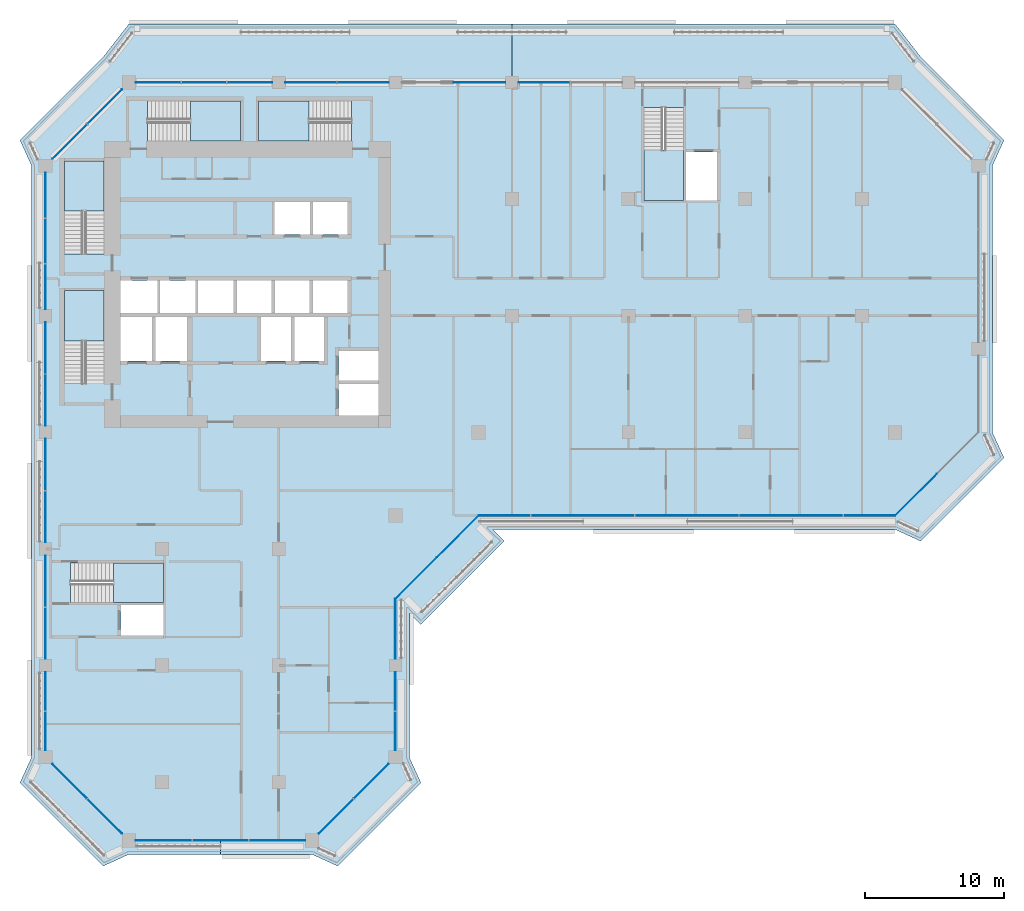
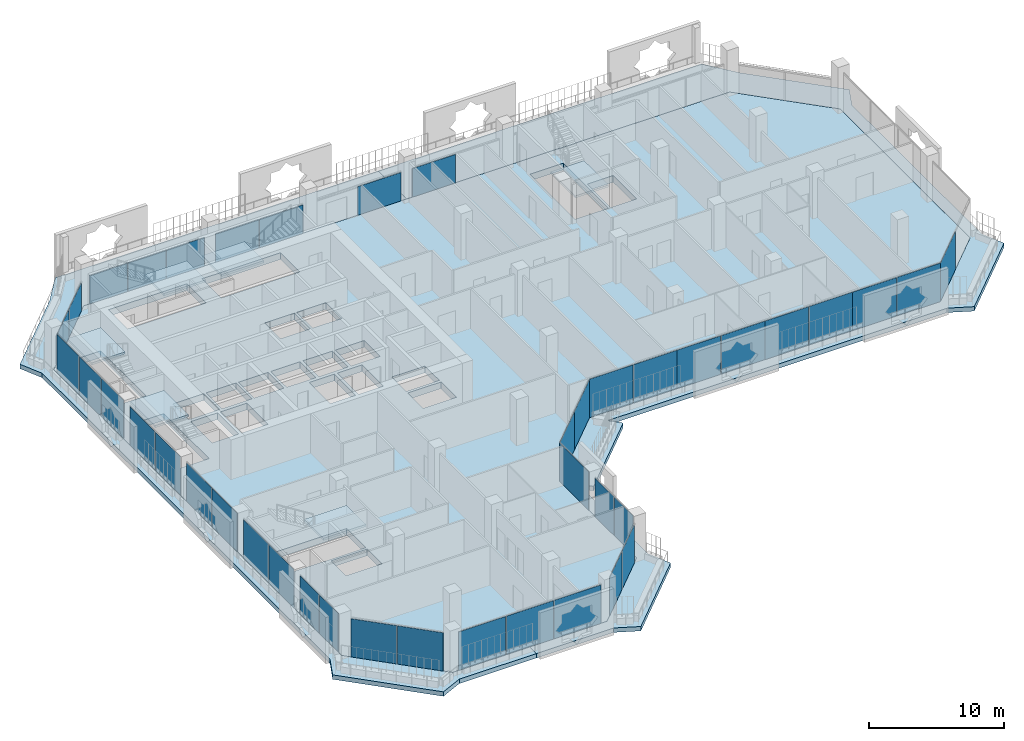
# One storey, part 8 of 22: 41 plates, 9 slabs, 16 elements without a shape of their own.
"""IFC4 building model written with IfcOpenShell, lengths in metres."""

from ifc_helpers import new_model, si_unit, direction, frame, origin, origin_2d, place, context, subcontext, project, spatial, polyline, rectangle, outline, extrude, material, layer, layer_set, type_object, element, aggregate, save


model = new_model("IFC4")

# Units and contexts
model_context = context("Model", 3, precision=1e-05, world=origin(), true_north=direction((0.0, 1.0)))
body_context = subcontext(model_context, "Body", "Model", "MODEL_VIEW")
ifc_project = project(units=[si_unit("LENGTHUNIT", "METRE"), si_unit("AREAUNIT", "SQUARE_METRE"), si_unit("VOLUMEUNIT", "CUBIC_METRE"), si_unit("PLANEANGLEUNIT", "RADIAN"), si_unit("MASSUNIT", "GRAM", prefix="KILO")], contexts=[model_context])

# Site, building, storey
site_placement = place(None, origin())
site = spatial("IfcSite", under=ifc_project, at=site_placement, CompositionType="ELEMENT")
building_placement = place(site_placement, origin())
building = spatial("IfcBuilding", under=site, at=building_placement, Name="Kawkab Arch Medical Tower", CompositionType="ELEMENT")
storey_placement = place(building_placement, frame((0.0, 0.0, 204.60009765625)))
storey = spatial("IfcBuildingStorey", under=building, at=storey_placement, Name="L47", CompositionType="ELEMENT", Elevation=204.60009765625)

# Curtain wall, plates
ifc_material_1 = material(Name="Bronze anodised aluminium curtain wall frame", Category="aluminium")
ifc_layer_1 = layer(ifc_material_1, 0.159912109375)
ifc_layer_set_1 = layer_set([ifc_layer_1], Name="Bronze anodised aluminium curtain wall frame")
curtain_wall_type_1 = type_object("IfcCurtainWallType", Name="CW1 ward curtain wall", PredefinedType="NOTDEFINED", material=ifc_layer_set_1)
placement_1 = place(storey_placement, origin())
curtain_wall_1 = element("IfcCurtainWall", 1, at=placement_1, inside=storey, type_object=curtain_wall_type_1, Name="CW1 Ward curtain wall R01", PredefinedType="NOTDEFINED")
ifc_material_2 = material(Name="Tinted insulating glass, bronze low-e coating", Category="glass")
ifc_layer_2 = layer(ifc_material_2, 0.031982421875)
ifc_layer_set_2 = layer_set([ifc_layer_2], Name="Tinted insulating glass, bronze low-e coating")
plate_type_1 = type_object("IfcPlateType", Name="CW1 glazing unit 32", PredefinedType="CURTAIN_PANEL", material=ifc_layer_set_2)
plate_1_placement = place(storey_placement, frame((0.0, -8.12255859375, 0.0), z_axis=(0.0, 0.0, 1.0), x_axis=(0.0, -1.0, 0.0)))
plate_1 = element("IfcPlate", 2, at=plate_1_placement, type_object=plate_type_1, Name="CW1 glazing unit 1.1", PredefinedType="CURTAIN_PANEL", context=body_context, shape_type="SweptSolid", body=[
    extrude(rectangle(XDim=3.2451171875, YDim=0.031982421875, at=origin_2d()), origin(), (0.0, 0.0, 1.0), 3.47998046875),
])
plate_2_placement = place(storey_placement, frame((0.0, -11.41259765625, 0.0), z_axis=(0.0, 0.0, 1.0), x_axis=(0.0, -1.0, 0.0)))
plate_2 = element("IfcPlate", 3, at=plate_2_placement, type_object=plate_type_1, Name="CW1 glazing unit 1.2", PredefinedType="CURTAIN_PANEL", context=body_context, shape_type="SweptSolid", body=[
    extrude(rectangle(XDim=3.215087890625, YDim=0.031982421875, at=origin_2d()), origin(), (0.0, 0.0, 1.0), 3.47998046875),
])
plate_3_placement = place(storey_placement, frame((0.0, -14.702392578125, 0.0), z_axis=(0.0, 0.0, 1.0), x_axis=(0.0, -1.0, 0.0)))
plate_3 = element("IfcPlate", 4, at=plate_3_placement, type_object=plate_type_1, Name="CW1 glazing unit 1.3", PredefinedType="CURTAIN_PANEL", context=body_context, shape_type="SweptSolid", body=[
    extrude(rectangle(XDim=3.2451171875, YDim=0.031982421875, at=origin_2d()), origin(), (0.0, 0.0, 1.0), 3.47998046875),
])
plate_4_placement = place(storey_placement, frame((0.0, -19.12255859375, 0.0), z_axis=(0.0, 0.0, 1.0), x_axis=(0.0, -1.0, 0.0)))
plate_4 = element("IfcPlate", 5, at=plate_4_placement, type_object=plate_type_1, Name="CW1 glazing unit 2.1", PredefinedType="CURTAIN_PANEL", context=body_context, shape_type="SweptSolid", body=[
    extrude(rectangle(XDim=3.695068359375, YDim=0.031982421875, at=origin_2d()), origin(), (0.0, 0.0, 1.0), 3.47998046875),
])
plate_5_placement = place(storey_placement, frame((0.0, -22.87744140625, 0.0), z_axis=(0.0, 0.0, 1.0), x_axis=(0.0, -1.0, 0.0)))
plate_5 = element("IfcPlate", 6, at=plate_5_placement, type_object=plate_type_1, Name="CW1 glazing unit 2.2", PredefinedType="CURTAIN_PANEL", context=body_context, shape_type="SweptSolid", body=[
    extrude(rectangle(XDim=3.695068359375, YDim=0.031982421875, at=origin_2d()), origin(), (0.0, 0.0, 1.0), 3.47998046875),
])
plate_6_placement = place(storey_placement, frame((0.0, -27.5224609375, 0.0), z_axis=(0.0, 0.0, 1.0), x_axis=(0.0, -1.0, 0.0)))
plate_6 = element("IfcPlate", 7, at=plate_6_placement, type_object=plate_type_1, Name="CW1 glazing unit 3.1", PredefinedType="CURTAIN_PANEL", context=body_context, shape_type="SweptSolid", body=[
    extrude(rectangle(XDim=3.695068359375, YDim=0.031982421875, at=origin_2d()), origin(), (0.0, 0.0, 1.0), 3.47998046875),
])
plate_7_placement = place(storey_placement, frame((0.0, -31.277587890625, 0.0), z_axis=(0.0, 0.0, 1.0), x_axis=(0.0, -1.0, 0.0)))
plate_7 = element("IfcPlate", 8, at=plate_7_placement, type_object=plate_type_1, Name="CW1 glazing unit 3.2", PredefinedType="CURTAIN_PANEL", context=body_context, shape_type="SweptSolid", body=[
    extrude(rectangle(XDim=3.695068359375, YDim=0.031982421875, at=origin_2d()), origin(), (0.0, 0.0, 1.0), 3.47998046875),
])
plate_8_placement = place(storey_placement, frame((0.0, -35.922607421875, 0.0), z_axis=(0.0, 0.0, 1.0), x_axis=(0.0, -1.0, 0.0)))
plate_8 = element("IfcPlate", 9, at=plate_8_placement, type_object=plate_type_1, Name="CW1 glazing unit 4.1", PredefinedType="CURTAIN_PANEL", context=body_context, shape_type="SweptSolid", body=[
    extrude(rectangle(XDim=3.695068359375, YDim=0.031982421875, at=origin_2d()), origin(), (0.0, 0.0, 1.0), 3.47998046875),
])
plate_9_placement = place(storey_placement, frame((0.0, -39.677490234375, 0.0), z_axis=(0.0, 0.0, 1.0), x_axis=(0.0, -1.0, 0.0)))
plate_9 = element("IfcPlate", 10, at=plate_9_placement, type_object=plate_type_1, Name="CW1 glazing unit 4.2", PredefinedType="CURTAIN_PANEL", context=body_context, shape_type="SweptSolid", body=[
    extrude(rectangle(XDim=3.695068359375, YDim=0.031982421875, at=origin_2d()), origin(), (0.0, 0.0, 1.0), 3.47998046875),
])
plate_10_placement = place(storey_placement, frame((0.0, -43.8662109375, 0.0), z_axis=(0.0, 0.0, 1.0), x_axis=(0.0, -1.0, 0.0)))
plate_10 = element("IfcPlate", 11, at=plate_10_placement, type_object=plate_type_1, Name="CW1 glazing unit 5.1", PredefinedType="CURTAIN_PANEL", context=body_context, shape_type="SweptSolid", body=[
    extrude(rectangle(XDim=2.782470703125, YDim=0.031982421875, at=origin_2d()), origin(), (0.0, 0.0, 1.0), 3.47998046875),
])
plate_11_placement = place(storey_placement, frame((0.0, -46.708740234375, 0.0), z_axis=(0.0, 0.0, 1.0), x_axis=(0.0, -1.0, 0.0)))
plate_11 = element("IfcPlate", 12, at=plate_11_placement, type_object=plate_type_1, Name="CW1 glazing unit 5.2", PredefinedType="CURTAIN_PANEL", context=body_context, shape_type="SweptSolid", body=[
    extrude(rectangle(XDim=2.782470703125, YDim=0.031982421875, at=origin_2d()), origin(), (0.0, 0.0, 1.0), 3.47998046875),
])
aggregate(curtain_wall_1, [plate_1, plate_2, plate_3, plate_4, plate_5, plate_6, plate_7, plate_8, plate_9, plate_10, plate_11])

curtain_wall_2 = element("IfcCurtainWall", 13, at=placement_1, inside=storey, type_object=curtain_wall_type_1, Name="CW1 Ward curtain wall R03", PredefinedType="NOTDEFINED")
plate_12_placement = place(storey_placement, frame((8.518310546875, -54.60009765625, 0.0), z_axis=(0.0, 0.0, 1.0), x_axis=(1.0, 0.0, 0.0)))
plate_12 = element("IfcPlate", 14, at=plate_12_placement, type_object=plate_type_1, Name="CW1 glazing unit 1.1", PredefinedType="CURTAIN_PANEL", context=body_context, shape_type="SweptSolid", body=[
    extrude(rectangle(XDim=4.03662109375, YDim=0.031982421875, at=origin_2d()), origin(), (0.0, 0.0, 1.0), 3.47998046875),
])
plate_13_placement = place(storey_placement, frame((12.60009765625, -54.60009765625, 0.0), z_axis=(0.0, 0.0, 1.0), x_axis=(1.0, 0.0, 0.0)))
plate_13 = element("IfcPlate", 15, at=plate_13_placement, type_object=plate_type_1, Name="CW1 glazing unit 1.2", PredefinedType="CURTAIN_PANEL", context=body_context, shape_type="SweptSolid", body=[
    extrude(rectangle(XDim=4.006591796875, YDim=0.031982421875, at=origin_2d()), origin(), (0.0, 0.0, 1.0), 3.47998046875),
])
plate_14_placement = place(storey_placement, frame((16.681640625, -54.60009765625, 0.0), z_axis=(0.0, 0.0, 1.0), x_axis=(1.0, 0.0, 0.0)))
plate_14 = element("IfcPlate", 16, at=plate_14_placement, type_object=plate_type_1, Name="CW1 glazing unit 1.3", PredefinedType="CURTAIN_PANEL", context=body_context, shape_type="SweptSolid", body=[
    extrude(rectangle(XDim=4.03662109375, YDim=0.031982421875, at=origin_2d()), origin(), (0.0, 0.0, 1.0), 3.47998046875),
])
aggregate(curtain_wall_2, [plate_12, plate_13, plate_14])

curtain_wall_3 = element("IfcCurtainWall", 17, at=placement_1, inside=storey, type_object=curtain_wall_type_1, Name="CW1 Ward curtain wall R05", PredefinedType="NOTDEFINED")
plate_15_placement = place(storey_placement, frame((25.199951171875, -46.708740234375, 0.0), z_axis=(0.0, 0.0, 1.0), x_axis=(0.0, 1.0, 0.0)))
plate_15 = element("IfcPlate", 18, at=plate_15_placement, type_object=plate_type_1, Name="CW1 glazing unit 1.1", PredefinedType="CURTAIN_PANEL", context=body_context, shape_type="SweptSolid", body=[
    extrude(rectangle(XDim=2.782470703125, YDim=0.031982421875, at=origin_2d()), origin(), (0.0, 0.0, 1.0), 3.47998046875),
])
plate_16_placement = place(storey_placement, frame((25.199951171875, -43.8662109375, 0.0), z_axis=(0.0, 0.0, 1.0), x_axis=(0.0, 1.0, 0.0)))
plate_16 = element("IfcPlate", 19, at=plate_16_placement, type_object=plate_type_1, Name="CW1 glazing unit 1.2", PredefinedType="CURTAIN_PANEL", context=body_context, shape_type="SweptSolid", body=[
    extrude(rectangle(XDim=2.782470703125, YDim=0.031982421875, at=origin_2d()), origin(), (0.0, 0.0, 1.0), 3.47998046875),
])
plate_17_placement = place(storey_placement, frame((25.199951171875, -39.362548828125, 0.0), z_axis=(0.0, 0.0, 1.0), x_axis=(0.0, 1.0, 0.0)))
plate_17 = element("IfcPlate", 20, at=plate_17_placement, type_object=plate_type_1, Name="CW1 glazing unit 2.1", PredefinedType="CURTAIN_PANEL", context=body_context, shape_type="SweptSolid", body=[
    extrude(rectangle(XDim=4.324951171875, YDim=0.031982421875, at=origin_2d()), origin(), (0.0, 0.0, 1.0), 3.47998046875),
])
aggregate(curtain_wall_3, [plate_15, plate_16, plate_17])

curtain_wall_4 = element("IfcCurtainWall", 21, at=placement_1, inside=storey, type_object=curtain_wall_type_1, Name="CW1 Ward curtain wall R07", PredefinedType="NOTDEFINED")
plate_18_placement = place(storey_placement, frame((33.06005859375, -31.199951171875, 0.0), z_axis=(0.0, 0.0, 1.0), x_axis=(1.0, 0.0, 0.0)))
plate_18 = element("IfcPlate", 22, at=plate_18_placement, type_object=plate_type_1, Name="CW1 glazing unit 1.1", PredefinedType="CURTAIN_PANEL", context=body_context, shape_type="SweptSolid", body=[
    extrude(rectangle(XDim=3.719970703125, YDim=0.031982421875, at=origin_2d()), origin(), (0.0, 0.0, 1.0), 3.47998046875),
])
plate_19_placement = place(storey_placement, frame((36.840087890625, -31.199951171875, 0.0), z_axis=(0.0, 0.0, 1.0), x_axis=(1.0, 0.0, 0.0)))
plate_19 = element("IfcPlate", 23, at=plate_19_placement, type_object=plate_type_1, Name="CW1 glazing unit 1.2", PredefinedType="CURTAIN_PANEL", context=body_context, shape_type="SweptSolid", body=[
    extrude(rectangle(XDim=3.719970703125, YDim=0.031982421875, at=origin_2d()), origin(), (0.0, 0.0, 1.0), 3.47998046875),
])
plate_20_placement = place(storey_placement, frame((40.56005859375, -31.199951171875, 0.0), z_axis=(0.0, 0.0, 1.0), x_axis=(1.0, 0.0, 0.0)))
plate_20 = element("IfcPlate", 24, at=plate_20_placement, type_object=plate_type_1, Name="CW1 glazing unit 2.1", PredefinedType="CURTAIN_PANEL", context=body_context, shape_type="SweptSolid", body=[
    extrude(rectangle(XDim=3.719970703125, YDim=0.031982421875, at=origin_2d()), origin(), (0.0, 0.0, 1.0), 3.47998046875),
])
plate_21_placement = place(storey_placement, frame((44.340087890625, -31.199951171875, 0.0), z_axis=(0.0, 0.0, 1.0), x_axis=(1.0, 0.0, 0.0)))
plate_21 = element("IfcPlate", 25, at=plate_21_placement, type_object=plate_type_1, Name="CW1 glazing unit 2.2", PredefinedType="CURTAIN_PANEL", context=body_context, shape_type="SweptSolid", body=[
    extrude(rectangle(XDim=3.719970703125, YDim=0.031982421875, at=origin_2d()), origin(), (0.0, 0.0, 1.0), 3.47998046875),
])
plate_22_placement = place(storey_placement, frame((48.06005859375, -31.199951171875, 0.0), z_axis=(0.0, 0.0, 1.0), x_axis=(1.0, 0.0, 0.0)))
plate_22 = element("IfcPlate", 26, at=plate_22_placement, type_object=plate_type_1, Name="CW1 glazing unit 3.1", PredefinedType="CURTAIN_PANEL", context=body_context, shape_type="SweptSolid", body=[
    extrude(rectangle(XDim=3.719970703125, YDim=0.031982421875, at=origin_2d()), origin(), (0.0, 0.0, 1.0), 3.47998046875),
])
plate_23_placement = place(storey_placement, frame((51.840087890625, -31.199951171875, 0.0), z_axis=(0.0, 0.0, 1.0), x_axis=(1.0, 0.0, 0.0)))
plate_23 = element("IfcPlate", 27, at=plate_23_placement, type_object=plate_type_1, Name="CW1 glazing unit 3.2", PredefinedType="CURTAIN_PANEL", context=body_context, shape_type="SweptSolid", body=[
    extrude(rectangle(XDim=3.719970703125, YDim=0.031982421875, at=origin_2d()), origin(), (0.0, 0.0, 1.0), 3.47998046875),
])
plate_24_placement = place(storey_placement, frame((55.56005859375, -31.199951171875, 0.0), z_axis=(0.0, 0.0, 1.0), x_axis=(1.0, 0.0, 0.0)))
plate_24 = element("IfcPlate", 28, at=plate_24_placement, type_object=plate_type_1, Name="CW1 glazing unit 4.1", PredefinedType="CURTAIN_PANEL", context=body_context, shape_type="SweptSolid", body=[
    extrude(rectangle(XDim=3.719970703125, YDim=0.031982421875, at=origin_2d()), origin(), (0.0, 0.0, 1.0), 3.47998046875),
])
plate_25_placement = place(storey_placement, frame((59.340087890625, -31.199951171875, 0.0), z_axis=(0.0, 0.0, 1.0), x_axis=(1.0, 0.0, 0.0)))
plate_25 = element("IfcPlate", 29, at=plate_25_placement, type_object=plate_type_1, Name="CW1 glazing unit 4.2", PredefinedType="CURTAIN_PANEL", context=body_context, shape_type="SweptSolid", body=[
    extrude(rectangle(XDim=3.719970703125, YDim=0.031982421875, at=origin_2d()), origin(), (0.0, 0.0, 1.0), 3.47998046875),
])
aggregate(curtain_wall_4, [plate_18, plate_19, plate_20, plate_21, plate_22, plate_23, plate_24, plate_25])

curtain_wall_5 = element("IfcCurtainWall", 30, at=placement_1, inside=storey, type_object=curtain_wall_type_1, Name="CW1 Ward curtain wall R11", PredefinedType="NOTDEFINED")
plate_26_placement = place(storey_placement, frame((35.922607421875, 0.0, -0.000244140625), z_axis=(0.0, 0.0, 1.0), x_axis=(-1.0, 0.0, 0.0)))
plate_26 = element("IfcPlate", 31, at=plate_26_placement, type_object=plate_type_1, Name="CW1 glazing unit 3.2", PredefinedType="CURTAIN_PANEL", context=body_context, shape_type="SweptSolid", body=[
    extrude(rectangle(XDim=3.695068359375, YDim=0.031982421875, at=origin_2d()), origin(), (0.0, 0.0, 1.0), 2.580078125),
])
plate_27_placement = place(storey_placement, frame((31.262451171875, 0.0, -0.000244140625), z_axis=(0.0, 0.0, 1.0), x_axis=(-1.0, 0.0, 0.0)))
plate_27 = element("IfcPlate", 32, at=plate_27_placement, type_object=plate_type_1, Name="CW1 glazing unit 4.1", PredefinedType="CURTAIN_PANEL", context=body_context, shape_type="SweptSolid", body=[
    extrude(rectangle(XDim=3.72509765625, YDim=0.031982421875, at=origin_2d()), origin(), (0.0, 0.0, 1.0), 2.580078125),
])
plate_28_placement = place(storey_placement, frame((22.87744140625, 0.0, -0.000244140625), z_axis=(0.0, 0.0, 1.0), x_axis=(-1.0, 0.0, 0.0)))
plate_28 = element("IfcPlate", 33, at=plate_28_placement, type_object=plate_type_1, Name="CW1 glazing unit 5.1", PredefinedType="CURTAIN_PANEL", context=body_context, shape_type="SweptSolid", body=[
    extrude(rectangle(XDim=3.695068359375, YDim=0.031982421875, at=origin_2d()), origin(), (0.0, 0.0, 1.0), 2.580078125),
])
plate_29_placement = place(storey_placement, frame((19.12255859375, 0.0, -0.000244140625), z_axis=(0.0, 0.0, 1.0), x_axis=(-1.0, 0.0, 0.0)))
plate_29 = element("IfcPlate", 34, at=plate_29_placement, type_object=plate_type_1, Name="CW1 glazing unit 5.2", PredefinedType="CURTAIN_PANEL", context=body_context, shape_type="SweptSolid", body=[
    extrude(rectangle(XDim=3.695068359375, YDim=0.031982421875, at=origin_2d()), origin(), (0.0, 0.0, 1.0), 2.580078125),
])
plate_30_placement = place(storey_placement, frame((14.702392578125, 0.0, -0.000244140625), z_axis=(0.0, 0.0, 1.0), x_axis=(-1.0, 0.0, 0.0)))
plate_30 = element("IfcPlate", 35, at=plate_30_placement, type_object=plate_type_1, Name="CW1 glazing unit 6.1", PredefinedType="CURTAIN_PANEL", context=body_context, shape_type="SweptSolid", body=[
    extrude(rectangle(XDim=3.2451171875, YDim=0.031982421875, at=origin_2d()), origin(), (0.0, 0.0, 1.0), 2.580078125),
])
plate_31_placement = place(storey_placement, frame((11.41259765625, 0.0, -0.000244140625), z_axis=(0.0, 0.0, 1.0), x_axis=(-1.0, 0.0, 0.0)))
plate_31 = element("IfcPlate", 36, at=plate_31_placement, type_object=plate_type_1, Name="CW1 glazing unit 6.2", PredefinedType="CURTAIN_PANEL", context=body_context, shape_type="SweptSolid", body=[
    extrude(rectangle(XDim=3.215087890625, YDim=0.031982421875, at=origin_2d()), origin(), (0.0, 0.0, 1.0), 2.580078125),
])
plate_32_placement = place(storey_placement, frame((8.12255859375, 0.0, -0.000244140625), z_axis=(0.0, 0.0, 1.0), x_axis=(-1.0, 0.0, 0.0)))
plate_32 = element("IfcPlate", 37, at=plate_32_placement, type_object=plate_type_1, Name="CW1 glazing unit 6.3", PredefinedType="CURTAIN_PANEL", context=body_context, shape_type="SweptSolid", body=[
    extrude(rectangle(XDim=3.2451171875, YDim=0.031982421875, at=origin_2d()), origin(), (0.0, 0.0, 1.0), 2.580078125),
])
aggregate(curtain_wall_5, [plate_26, plate_27, plate_28, plate_29, plate_30, plate_31, plate_32])

ifc_material_3 = material(Name="Bronze anodised aluminium curtain wall frame", Category="aluminium")
ifc_layer_3 = layer(ifc_material_3, 0.159912109375)
ifc_layer_set_3 = layer_set([ifc_layer_3], Name="Bronze anodised aluminium curtain wall frame")
curtain_wall_type_2 = type_object("IfcCurtainWallType", Name="CW2 chamfer curtain wall", PredefinedType="NOTDEFINED", material=ifc_layer_set_3)
curtain_wall_6 = element("IfcCurtainWall", 38, at=placement_1, inside=storey, type_object=curtain_wall_type_2, Name="CW2 Chamfer curtain wall R02", PredefinedType="NOTDEFINED")
ifc_material_4 = material(Name="Tinted insulating glass, bronze low-e coating", Category="glass")
ifc_layer_4 = layer(ifc_material_4, 0.031982421875)
ifc_layer_set_4 = layer_set([ifc_layer_4], Name="Tinted insulating glass, bronze low-e coating")
plate_type_2 = type_object("IfcPlateType", Name="CW2 glazing unit 32", PredefinedType="CURTAIN_PANEL", material=ifc_layer_set_4)
plate_33_placement = place(storey_placement, frame((1.739501953125, -50.33935546875, 0.0), z_axis=(0.0, 0.0, 1.0), x_axis=(0.707106781187, -0.707106781187, 0.0)))
plate_33 = element("IfcPlate", 39, at=plate_33_placement, type_object=plate_type_2, Name="CW2 glazing unit 1.1", PredefinedType="CURTAIN_PANEL", context=body_context, shape_type="SweptSolid", body=[
    extrude(rectangle(XDim=3.505615234375, YDim=0.031982421875, at=origin_2d()), origin(), (0.0, 0.0, 1.0), 3.4599609375),
])
plate_34_placement = place(storey_placement, frame((4.260498046875, -52.860595703125, 0.0), z_axis=(0.0, 0.0, 1.0), x_axis=(0.707106781187, -0.707106781187, 0.0)))
plate_34 = element("IfcPlate", 40, at=plate_34_placement, type_object=plate_type_2, Name="CW2 glazing unit 1.2", PredefinedType="CURTAIN_PANEL", context=body_context, shape_type="SweptSolid", body=[
    extrude(rectangle(XDim=3.505615234375, YDim=0.031982421875, at=origin_2d()), origin(), (0.0, 0.0, 1.0), 3.4599609375),
])
aggregate(curtain_wall_6, [plate_33, plate_34])

curtain_wall_7 = element("IfcCurtainWall", 41, at=placement_1, inside=storey, type_object=curtain_wall_type_2, Name="CW2 Chamfer curtain wall R04", PredefinedType="NOTDEFINED")
plate_35_placement = place(storey_placement, frame((20.939453125, -52.860595703125, 0.0), z_axis=(0.0, 0.0, 1.0), x_axis=(0.707106781187, 0.707106781187, 0.0)))
plate_35 = element("IfcPlate", 42, at=plate_35_placement, type_object=plate_type_2, Name="CW2 glazing unit 1.1", PredefinedType="CURTAIN_PANEL", context=body_context, shape_type="SweptSolid", body=[
    extrude(rectangle(XDim=3.505615234375, YDim=0.031982421875, at=origin_2d()), origin(), (0.0, 0.0, 1.0), 3.4599609375),
])
plate_36_placement = place(storey_placement, frame((23.460693359375, -50.33935546875, 0.0), z_axis=(0.0, 0.0, 1.0), x_axis=(0.707106781187, 0.707106781187, 0.0)))
plate_36 = element("IfcPlate", 43, at=plate_36_placement, type_object=plate_type_2, Name="CW2 glazing unit 1.2", PredefinedType="CURTAIN_PANEL", context=body_context, shape_type="SweptSolid", body=[
    extrude(rectangle(XDim=3.505615234375, YDim=0.031982421875, at=origin_2d()), origin(), (0.0, 0.0, 1.0), 3.4599609375),
])
aggregate(curtain_wall_7, [plate_35, plate_36])

curtain_wall_8 = element("IfcCurtainWall", 44, at=placement_1, inside=storey, type_object=curtain_wall_type_2, Name="CW2 Chamfer curtain wall R06", PredefinedType="NOTDEFINED")
plate_37_placement = place(storey_placement, frame((26.699951171875, -35.699951171875, 0.0), z_axis=(0.0, 0.0, 1.0), x_axis=(0.707106781187, 0.707106781187, 0.0)))
plate_37 = element("IfcPlate", 45, at=plate_37_placement, type_object=plate_type_2, Name="CW2 glazing unit 1.1", PredefinedType="CURTAIN_PANEL", context=body_context, shape_type="SweptSolid", body=[
    extrude(rectangle(XDim=4.24267578125, YDim=0.031982421875, at=origin_2d()), origin(), (0.0, 0.0, 1.0), 3.4599609375),
])
plate_38_placement = place(storey_placement, frame((29.699951171875, -32.699951171875, 0.0), z_axis=(0.0, 0.0, 1.0), x_axis=(0.707106781187, 0.707106781187, 0.0)))
plate_38 = element("IfcPlate", 46, at=plate_38_placement, type_object=plate_type_2, Name="CW2 glazing unit 2.1", PredefinedType="CURTAIN_PANEL", context=body_context, shape_type="SweptSolid", body=[
    extrude(rectangle(XDim=4.24267578125, YDim=0.031982421875, at=origin_2d()), origin(), (0.0, 0.0, 1.0), 3.4599609375),
])
aggregate(curtain_wall_8, [plate_37, plate_38])

# Curtain wall, plate
curtain_wall_9 = element("IfcCurtainWall", 47, at=placement_1, inside=storey, type_object=curtain_wall_type_2, Name="CW2 Chamfer curtain wall R08", PredefinedType="NOTDEFINED")
plate_39_placement = place(storey_placement, frame((62.699951171875, -29.699951171875, 0.0), z_axis=(0.0, 0.0, 1.0), x_axis=(0.707106781187, 0.707106781187, 0.0)))
plate_39 = element("IfcPlate", 48, at=plate_39_placement, type_object=plate_type_2, Name="CW2 glazing unit 1.1", PredefinedType="CURTAIN_PANEL", context=body_context, shape_type="SweptSolid", body=[
    extrude(rectangle(XDim=4.24267578125, YDim=0.031982421875, at=origin_2d()), origin(), (0.0, 0.0, 1.0), 3.4599609375),
])
aggregate(curtain_wall_9, [plate_39])

# Curtain wall, plates
curtain_wall_10 = element("IfcCurtainWall", 49, at=placement_1, inside=storey, type_object=curtain_wall_type_2, Name="CW2 Chamfer curtain wall R12", PredefinedType="NOTDEFINED")
plate_40_placement = place(storey_placement, frame((4.260498046875, -1.739501953125, -0.000244140625), z_axis=(0.0, 0.0, 1.0), x_axis=(-0.707106781187, -0.707106781187, 0.0)))
plate_40 = element("IfcPlate", 50, at=plate_40_placement, type_object=plate_type_2, Name="CW2 glazing unit 1.1", PredefinedType="CURTAIN_PANEL", context=body_context, shape_type="SweptSolid", body=[
    extrude(rectangle(XDim=3.505615234375, YDim=0.031982421875, at=origin_2d()), origin(), (0.0, 0.0, 1.0), 2.56005859375),
])
plate_41_placement = place(storey_placement, frame((1.739501953125, -4.260498046875, -0.000244140625), z_axis=(0.0, 0.0, 1.0), x_axis=(-0.707106781187, -0.707106781187, 0.0)))
plate_41 = element("IfcPlate", 51, at=plate_41_placement, type_object=plate_type_2, Name="CW2 glazing unit 1.2", PredefinedType="CURTAIN_PANEL", context=body_context, shape_type="SweptSolid", body=[
    extrude(rectangle(XDim=3.505615234375, YDim=0.031982421875, at=origin_2d()), origin(), (0.0, 0.0, 1.0), 2.56005859375),
])
aggregate(curtain_wall_10, [plate_40, plate_41])

# Stair, slab
ifc_material_5 = material(Name="Concrete C40/50", Category="concrete")
stair_type = type_object("IfcStairType", Name="Exit stair 1350", PredefinedType="HALF_TURN_STAIR", material=ifc_material_5)
stair_1 = element("IfcStair", 52, at=placement_1, inside=storey, type_object=stair_type, Name="L47 Exit stair ST1", PredefinedType="HALF_TURN_STAIR")
ifc_material_6 = material(Name="Concrete C40/50", Category="concrete")
ifc_layer_5 = layer(ifc_material_6, 0.199951171875)
ifc_layer_set_5 = layer_set([ifc_layer_5], Name="Concrete C40/50")
slab_type_1 = type_object("IfcSlabType", Name="Exit stair landing 200", PredefinedType="LANDING", material=ifc_layer_set_5)
placement_2 = place(storey_placement, frame((0.0, 0.0, 1.89990234375)))
slab_1 = element("IfcSlab", 53, at=placement_2, type_object=slab_type_1, Name="ST1 landing 1", PredefinedType="LANDING", context=body_context, shape_type="SweptSolid", body=[
    extrude(outline(polyline([(4.199951171875, -9.27001953125), (4.199951171875, -5.64990234375), (1.35009765625, -5.64990234375), (1.35009765625, -9.27001953125), (4.199951171875, -9.27001953125)])), origin(), (0.0, 0.0, 1.0), 0.199951171875),
])
aggregate(stair_1, [slab_1])

stair_2 = element("IfcStair", 54, at=placement_1, inside=storey, type_object=stair_type, Name="L47 Exit stair ST2", PredefinedType="HALF_TURN_STAIR")
slab_2 = element("IfcSlab", 55, at=placement_2, type_object=slab_type_1, Name="ST2 landing 1", PredefinedType="LANDING", context=body_context, shape_type="SweptSolid", body=[
    extrude(outline(polyline([(4.199951171875, -18.6201171875), (4.199951171875, -15.0), (1.35009765625, -15.0), (1.35009765625, -18.6201171875), (4.199951171875, -18.6201171875)])), origin(), (0.0, 0.0, 1.0), 0.199951171875),
])
aggregate(stair_2, [slab_2])

stair_3 = element("IfcStair", 56, at=placement_1, inside=storey, type_object=stair_type, Name="L47 Exit stair ST3", PredefinedType="HALF_TURN_STAIR")
slab_3 = element("IfcSlab", 57, at=placement_2, type_object=slab_type_1, Name="ST3 landing 1", PredefinedType="LANDING", context=body_context, shape_type="SweptSolid", body=[
    extrude(outline(polyline([(10.429931640625, -4.199951171875), (14.050048828125, -4.199951171875), (14.050048828125, -1.35009765625), (10.429931640625, -1.35009765625), (10.429931640625, -4.199951171875)])), origin(), (0.0, 0.0, 1.0), 0.199951171875),
])
aggregate(stair_3, [slab_3])

stair_4 = element("IfcStair", 58, at=placement_1, inside=storey, type_object=stair_type, Name="L47 Exit stair ST4", PredefinedType="HALF_TURN_STAIR")
slab_4 = element("IfcSlab", 59, at=placement_2, type_object=slab_type_1, Name="ST4 landing 1", PredefinedType="LANDING", context=body_context, shape_type="SweptSolid", body=[
    extrude(outline(polyline([(18.969970703125, -1.35009765625), (15.35009765625, -1.35009765625), (15.35009765625, -4.199951171875), (18.969970703125, -4.199951171875), (18.969970703125, -1.35009765625)])), origin(), (0.0, 0.0, 1.0), 0.199951171875),
])
aggregate(stair_4, [slab_4])

stair_5 = element("IfcStair", 60, at=placement_1, inside=storey, type_object=stair_type, Name="L47 Exit stair ST5", PredefinedType="HALF_TURN_STAIR")
slab_5 = element("IfcSlab", 61, at=placement_2, type_object=slab_type_1, Name="ST5 landing 1", PredefinedType="LANDING", context=body_context, shape_type="SweptSolid", body=[
    extrude(outline(polyline([(43.10009765625, -4.8798828125), (43.10009765625, -8.5), (45.949951171875, -8.5), (45.949951171875, -4.8798828125), (43.10009765625, -4.8798828125)])), origin(), (0.0, 0.0, 1.0), 0.199951171875),
])
aggregate(stair_5, [slab_5])

stair_6 = element("IfcStair", 62, at=placement_1, inside=storey, type_object=stair_type, Name="L47 Exit stair ST6", PredefinedType="HALF_TURN_STAIR")
slab_6 = element("IfcSlab", 63, at=placement_2, type_object=slab_type_1, Name="ST6 landing 1", PredefinedType="LANDING", context=body_context, shape_type="SweptSolid", body=[
    extrude(outline(polyline([(4.8798828125, -37.449951171875), (8.5, -37.449951171875), (8.5, -34.60009765625), (4.8798828125, -34.60009765625), (4.8798828125, -37.449951171875)])), origin(), (0.0, 0.0, 1.0), 0.199951171875),
])
aggregate(stair_6, [slab_6])

# Slabs
ifc_material_7 = material(Name="Concrete C45/55", Category="concrete")
ifc_layer_6 = layer(ifc_material_7, 0.60009765625)
ifc_layer_set_6 = layer_set([ifc_layer_6], Name="Concrete C45/55")
slab_type_2 = type_object("IfcSlabType", Name="Flat plate 600 C45/55", PredefinedType="FLOOR", material=ifc_layer_set_6)
slab_7_placement = place(storey_placement, frame((0.0, 0.0, -0.60009765625)))
element("IfcSlab", 64, at=slab_7_placement, inside=storey, type_object=slab_type_2, Name="Floor slab L47", PredefinedType="FLOOR", context=body_context, shape_type="SweptSolid", body=[
    extrude(outline(polyline([(6.0, 0.0), (61.199951171875, 0.0), (67.199951171875, -6.0), (67.199951171875, -25.199951171875), (61.199951171875, -31.199951171875), (31.199951171875, -31.199951171875), (25.199951171875, -37.199951171875), (25.199951171875, -48.60009765625), (19.199951171875, -54.60009765625), (6.0, -54.60009765625), (0.0, -48.60009765625), (0.0, -6.0), (6.0, 0.0)]), holes=[polyline([(5.425048828125, -37.64990234375), (5.425048828125, -39.85009765625), (8.5, -39.85009765625), (8.5, -37.64990234375), (5.425048828125, -37.64990234375)]), polyline([(8.5, -37.449951171875), (8.5, -34.60009765625), (1.800048828125, -34.60009765625), (1.800048828125, -37.449951171875), (8.5, -37.449951171875)]), polyline([(5.39990234375, -20.050048828125), (7.675048828125, -20.050048828125), (7.675048828125, -16.89990234375), (5.39990234375, -16.89990234375), (5.39990234375, -20.050048828125)]), polyline([(10.199951171875, -20.050048828125), (10.199951171875, -16.89990234375), (7.925048828125, -16.89990234375), (7.925048828125, -20.050048828125), (10.199951171875, -20.050048828125)]), polyline([(4.199951171875, -21.699951171875), (4.199951171875, -15.0), (1.35009765625, -15.0), (1.35009765625, -21.699951171875), (4.199951171875, -21.699951171875)]), polyline([(5.39990234375, -16.60009765625), (8.050048828125, -16.60009765625), (8.050048828125, -14.25), (5.39990234375, -14.25), (5.39990234375, -16.60009765625)]), polyline([(8.25, -14.25), (8.25, -16.60009765625), (10.800048828125, -16.60009765625), (10.800048828125, -14.25), (8.25, -14.25)]), polyline([(13.52490234375, -14.25), (11.0, -14.25), (11.0, -16.60009765625), (13.52490234375, -16.60009765625), (13.52490234375, -14.25)]), polyline([(13.77490234375, -14.25), (13.77490234375, -16.60009765625), (16.27490234375, -16.60009765625), (16.27490234375, -14.25), (13.77490234375, -14.25)]), polyline([(4.199951171875, -12.35009765625), (4.199951171875, -5.64990234375), (1.35009765625, -5.64990234375), (1.35009765625, -12.35009765625), (4.199951171875, -12.35009765625)]), polyline([(7.35009765625, -4.199951171875), (14.050048828125, -4.199951171875), (14.050048828125, -1.35009765625), (7.35009765625, -1.35009765625), (7.35009765625, -4.199951171875)]), polyline([(24.0, -21.72509765625), (21.14990234375, -21.72509765625), (21.14990234375, -24.0), (24.0, -24.0), (24.0, -21.72509765625)]), polyline([(24.0, -19.35009765625), (21.14990234375, -19.35009765625), (21.14990234375, -21.47509765625), (24.0, -21.47509765625), (24.0, -19.35009765625)]), polyline([(17.675048828125, -20.050048828125), (17.675048828125, -16.89990234375), (15.52490234375, -16.89990234375), (15.52490234375, -20.050048828125), (17.675048828125, -20.050048828125)]), polyline([(17.925048828125, -20.050048828125), (20.050048828125, -20.050048828125), (20.050048828125, -16.89990234375), (17.925048828125, -16.89990234375), (17.925048828125, -20.050048828125)]), polyline([(16.52490234375, -16.60009765625), (19.02490234375, -16.60009765625), (19.02490234375, -14.25), (16.52490234375, -14.25), (16.52490234375, -16.60009765625)]), polyline([(19.27490234375, -16.60009765625), (21.75, -16.60009765625), (21.75, -14.25), (19.27490234375, -14.25), (19.27490234375, -16.60009765625)]), polyline([(19.050048828125, -10.949951171875), (19.050048828125, -8.60009765625), (16.5, -8.60009765625), (16.5, -10.949951171875), (19.050048828125, -10.949951171875)]), polyline([(19.25, -10.949951171875), (21.75, -10.949951171875), (21.75, -8.60009765625), (19.25, -8.60009765625), (19.25, -10.949951171875)]), polyline([(46.14990234375, -8.5), (48.35009765625, -8.5), (48.35009765625, -5.02490234375), (46.14990234375, -5.02490234375), (46.14990234375, -8.5)]), polyline([(43.10009765625, -1.800048828125), (43.10009765625, -8.5), (45.949951171875, -8.5), (45.949951171875, -1.800048828125), (43.10009765625, -1.800048828125)]), polyline([(22.050048828125, -1.35009765625), (15.35009765625, -1.35009765625), (15.35009765625, -4.199951171875), (22.050048828125, -4.199951171875), (22.050048828125, -1.35009765625)])]), origin(), (0.0, 0.0, 1.0), 0.60009765625),
])
ifc_material_8 = material(Name="Concrete C40/50", Category="concrete")
ifc_layer_7 = layer(ifc_material_8, 0.39990234375)
ifc_layer_set_7 = layer_set([ifc_layer_7], Name="Concrete C40/50")
slab_type_3 = type_object("IfcSlabType", Name="Loggia slab 400", PredefinedType="FLOOR", material=ifc_layer_set_7)
placement_3 = place(storey_placement, frame((0.0, 0.0, -0.400146484375)))
element("IfcSlab", 65, at=placement_3, inside=storey, type_object=slab_type_3, Name="Loggia slab L47.3", PredefinedType="FLOOR", context=body_context, shape_type="SweptSolid", body=[
    extrude(outline(polyline([(-1.837890625, -50.43701171875), (-1.0, -48.60009765625), (-1.0, -6.0), (-1.837890625, -4.1630859375), (4.162109375, 1.837890625), (5.9990234375, 4.198974609375), (6.0009765625, 4.198974609375), (6.0009765625, 4.199951171875), (33.59912109375, 4.199951171875), (33.59912109375, 4.198974609375), (33.60009765625, 4.198974609375), (33.60009765625, 0.001953125), (33.59912109375, 0.001953125), (33.59912109375, 0.0009765625), (6.0, 0.0009765625), (-0.0009765625, -6.0), (-0.0009765625, -48.60009765625), (6.0, -54.60107421875), (12.59912109375, -54.60107421875), (12.59912109375, -54.60205078125), (12.60009765625, -54.60205078125), (12.60009765625, -55.59912109375), (12.59912109375, -55.59912109375), (12.59912109375, -55.60009765625), (6.0, -55.60009765625), (4.1630859375, -56.43798828125), (-1.837890625, -50.43701171875)])), origin(), (0.0, 0.0, 1.0), 0.400146484375),
])
element("IfcSlab", 66, at=placement_3, inside=storey, type_object=slab_type_3, Name="Loggia slab L47.4", PredefinedType="FLOOR", context=body_context, shape_type="SweptSolid", body=[
    extrude(outline(polyline([(12.60107421875, -55.60009765625), (12.60107421875, -55.59912109375), (12.60009765625, -55.59912109375), (12.60009765625, -54.60205078125), (12.60107421875, -54.60205078125), (12.60107421875, -54.60107421875), (19.199951171875, -54.60107421875), (25.199951171875, -48.60009765625), (25.199951171875, -37.200927734375), (31.200927734375, -31.199951171875), (61.199951171875, -31.199951171875), (67.200927734375, -25.199951171875), (67.200927734375, -6.0), (61.199951171875, 0.0009765625), (33.60107421875, 0.0009765625), (33.60107421875, 0.001953125), (33.60009765625, 0.001953125), (33.60009765625, 4.198974609375), (33.60107421875, 4.198974609375), (33.60107421875, 4.199951171875), (61.198974609375, 4.199951171875), (61.198974609375, 4.198974609375), (61.200927734375, 4.198974609375), (63.0380859375, 1.837890625), (69.0380859375, -4.1630859375), (68.199951171875, -6.0), (68.199951171875, -25.199951171875), (69.0380859375, -27.037109375), (63.037109375, -33.0380859375), (61.199951171875, -32.199951171875), (32.198974609375, -32.199951171875), (33.035888671875, -33.0380859375), (27.0380859375, -39.035888671875), (26.199951171875, -38.198974609375), (26.199951171875, -48.60009765625), (27.0380859375, -50.43701171875), (21.037109375, -56.43798828125), (19.199951171875, -55.60009765625), (12.60107421875, -55.60009765625)])), origin(), (0.0, 0.0, 1.0), 0.400146484375),
])

save(model, "model.ifc")
